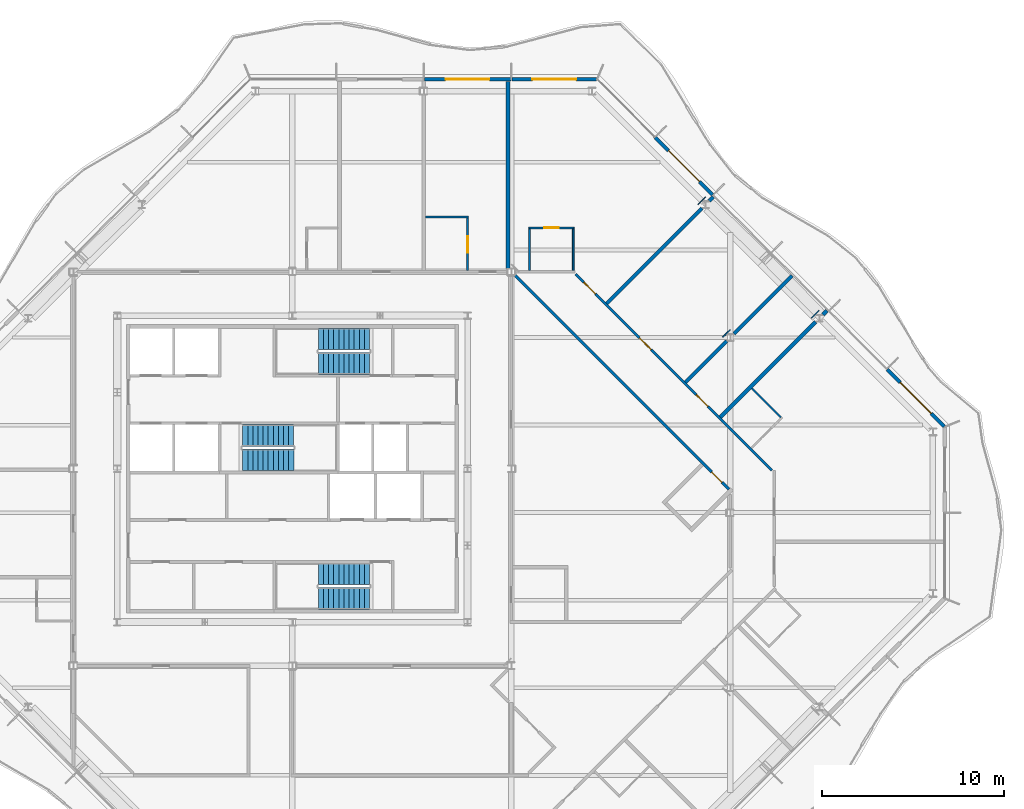
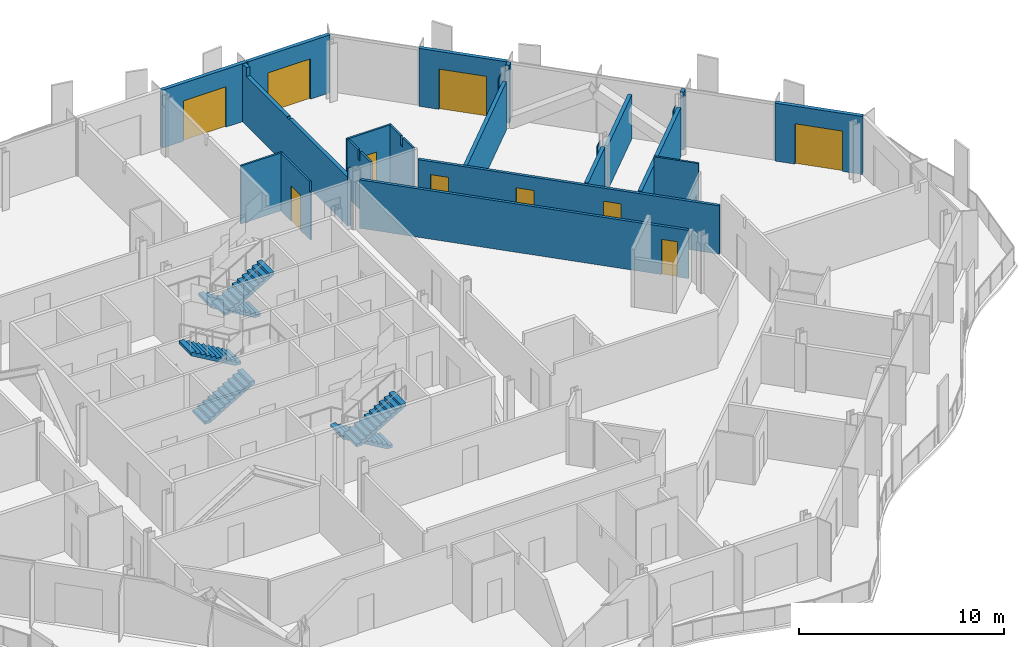
# One storey, part 12 of 17: 22 walls, 10 doors, 6 stair flights, 10 openings, 3 elements without a shape of their own.
"""IFC4 building model written with IfcOpenShell, lengths in metres."""

from ifc_helpers import new_model, si_unit, direction, frame, frame_2d, origin, place, context, subcontext, project, spatial, polyline, rectangle, outline, extrude, material, layer, layer_set, type_object, element, fill, aggregate, save


model = new_model("IFC4")

# Units and contexts
model_context = context("Model", 3, precision=1e-05, world=origin(), true_north=direction((0.0, 1.0)))
body_context = subcontext(model_context, "Body", "Model", "MODEL_VIEW")
ifc_project = project(units=[si_unit("LENGTHUNIT", "METRE"), si_unit("AREAUNIT", "SQUARE_METRE"), si_unit("VOLUMEUNIT", "CUBIC_METRE"), si_unit("PLANEANGLEUNIT", "RADIAN"), si_unit("MASSUNIT", "GRAM", prefix="KILO")], contexts=[model_context])

# Site, building, storey
site_placement = place(None, origin())
site = spatial("IfcSite", under=ifc_project, at=site_placement, CompositionType="ELEMENT")
building_placement = place(site_placement, origin())
building = spatial("IfcBuilding", under=site, at=building_placement, Name="Cairn Pilgrim Tower", CompositionType="ELEMENT")
storey_placement = place(building_placement, frame((0.0, 0.0, 253.800048828125)))
storey = spatial("IfcBuildingStorey", under=building, at=storey_placement, Name="L65", CompositionType="ELEMENT", Elevation=253.800048828125)

# Wall, opening, door
ifc_material_1 = material(Name="Bronze anodised aluminium insulated sandwich panel with mineral wool fill", Category="aluminium")
ifc_layer_1 = layer(ifc_material_1, 0.199951171875)
ifc_layer_set_1 = layer_set([ifc_layer_1], Name="BRONZE INFILL FRAME WALL 200")
wall_type_1 = type_object("IfcWallType", Name="BRONZE INFILL FRAME WALL 200", PredefinedType="NOTDEFINED", material=ifc_layer_set_1)
wall_1_placement = place(storey_placement, frame((42.921630859375, 4.724609375, 0.0), z_axis=(0.0, 0.0, 1.0), x_axis=(-0.707079168996, 0.707134392299, 0.0)))
wall_1 = element("IfcWall", 1, at=wall_1_placement, inside=storey, type_object=wall_type_1, Name="Bronze infill frame wall IW-NE1", PredefinedType="NOTDEFINED", context=body_context, shape_type="SweptSolid", body=[
    extrude(rectangle(XDim=4.4208984375, YDim=0.199951171875, at=frame_2d((2.21044921875, 0.0))), origin(), (0.0, 0.0, 1.0), 3.449951171875),
])
opening_1_placement = place(wall_1_placement, frame((1.00537109375, 0.0, 0.0)))
opening_1 = element("IfcOpeningElement", 2, at=opening_1_placement, cuts=wall_1, Name="Opening 6505B2", PredefinedType="OPENING", context=body_context, shape_type="SweptSolid", body=[
    extrude(rectangle(XDim=2.39990234375, YDim=2.39990234375, at=frame_2d((1.199951171875, 1.199951171875))), frame((0.0, 0.10986328125, 0.0), z_axis=(0.0, -1.0, 0.0), x_axis=(1.0, 0.0, 0.0)), (0.0, 0.0, 1.0), 0.219970703125),
])
ifc_material_2 = material(Name="Bronze anodised aluminium frame with tinted low-E glass", Category="aluminium")
door_type_1 = type_object("IfcDoorType", Name="BALCONY SLIDING DOOR 2400x2400", OperationType="DOUBLE_DOOR_SLIDING", PredefinedType="DOOR", material=ifc_material_2)
door_1_placement = place(opening_1_placement, origin())
door_1 = element("IfcDoor", 3, at=door_1_placement, inside=storey, type_object=door_type_1, Name="Balcony sliding door 6505B2", OperationType="SINGLE_SWING_LEFT", OverallHeight=2.39990234375, OverallWidth=2.39990234375, PredefinedType="DOOR", context=body_context, shape_type="SweptSolid", body=[
    extrude(rectangle(XDim=2.39990234375, YDim=2.39990234375, at=frame_2d((1.199951171875, 1.199951171875))), frame((0.0, 0.02490234375, 0.0), z_axis=(0.0, -1.0, 0.0), x_axis=(1.0, 0.0, 0.0)), (0.0, 0.0, 1.0), 0.050048828125),
])
fill(opening_1, door_1)

wall_2_placement = place(storey_placement, frame((30.226318359375, 17.419921875, 0.0), z_axis=(0.0, 0.0, 1.0), x_axis=(-0.707079231393, 0.707134329907, 0.0)))
wall_2 = element("IfcWall", 4, at=wall_2_placement, inside=storey, type_object=wall_type_1, Name="Bronze infill frame wall IW-NE5", PredefinedType="NOTDEFINED", context=body_context, shape_type="SweptSolid", body=[
    extrude(rectangle(XDim=4.430908203125, YDim=0.199951171875, at=frame_2d((2.21533203125, 0.0))), origin(), (0.0, 0.0, 1.0), 3.449951171875),
])
opening_2_placement = place(wall_2_placement, frame((1.01513671875, 0.0, 0.0)))
opening_2 = element("IfcOpeningElement", 5, at=opening_2_placement, cuts=wall_2, Name="Opening 6508B2", PredefinedType="OPENING", context=body_context, shape_type="SweptSolid", body=[
    extrude(rectangle(XDim=2.39990234375, YDim=2.39990234375, at=frame_2d((1.199951171875, 1.199951171875))), frame((0.0, 0.10986328125, 0.0), z_axis=(0.0, -1.0, 0.0), x_axis=(1.0, 0.0, 0.0)), (0.0, 0.0, 1.0), 0.219970703125),
])
door_2_placement = place(opening_2_placement, origin())
door_2 = element("IfcDoor", 6, at=door_2_placement, inside=storey, type_object=door_type_1, Name="Balcony sliding door 6508B2", OperationType="SINGLE_SWING_LEFT", OverallHeight=2.39990234375, OverallWidth=2.39990234375, PredefinedType="DOOR", context=body_context, shape_type="SweptSolid", body=[
    extrude(rectangle(XDim=2.39990234375, YDim=2.39990234375, at=frame_2d((1.199951171875, 1.199951171875))), frame((0.0, 0.02490234375, 0.0), z_axis=(0.0, -1.0, 0.0), x_axis=(1.0, 0.0, 0.0)), (0.0, 0.0, 1.0), 0.050048828125),
])
fill(opening_2, door_2)

wall_3_placement = place(storey_placement, frame((23.8564453125, 23.75, 0.0), z_axis=(0.0, 0.0, 1.0), x_axis=(-1.0, 0.0, 0.0)))
wall_3 = element("IfcWall", 7, at=wall_3_placement, inside=storey, type_object=wall_type_1, Name="Bronze infill frame wall IW-N1", PredefinedType="NOTDEFINED", context=body_context, shape_type="SweptSolid", body=[
    extrude(rectangle(XDim=4.62646484375, YDim=0.199951171875, at=frame_2d((2.313232421875, 0.0))), origin(), (0.0, 0.0, 1.0), 3.449951171875),
])
opening_3_placement = place(wall_3_placement, frame((1.1083984375, 0.0, 0.0)))
opening_3 = element("IfcOpeningElement", 8, at=opening_3_placement, cuts=wall_3, Name="Opening 6508B", PredefinedType="OPENING", context=body_context, shape_type="SweptSolid", body=[
    extrude(rectangle(XDim=2.39990234375, YDim=2.39990234375, at=frame_2d((1.199951171875, 1.199951171875))), frame((0.0, 0.10986328125, 0.0), z_axis=(0.0, -1.0, 0.0), x_axis=(1.0, 0.0, 0.0)), (0.0, 0.0, 1.0), 0.219970703125),
])
door_3_placement = place(opening_3_placement, origin())
door_3 = element("IfcDoor", 9, at=door_3_placement, inside=storey, type_object=door_type_1, Name="Balcony sliding door 6508B", OperationType="SINGLE_SWING_LEFT", OverallHeight=2.39990234375, OverallWidth=2.39990234375, PredefinedType="DOOR", context=body_context, shape_type="SweptSolid", body=[
    extrude(rectangle(XDim=2.39990234375, YDim=2.39990234375, at=frame_2d((1.199951171875, 1.199951171875))), frame((0.0, 0.02490234375, 0.0), z_axis=(0.0, -1.0, 0.0), x_axis=(1.0, 0.0, 0.0)), (0.0, 0.0, 1.0), 0.050048828125),
])
fill(opening_3, door_3)

wall_4_placement = place(storey_placement, frame((19.169921875, 23.75, 0.0), z_axis=(0.0, 0.0, 1.0), x_axis=(-1.0, 0.0, 0.0)))
wall_4 = element("IfcWall", 10, at=wall_4_placement, inside=storey, type_object=wall_type_1, Name="Bronze infill frame wall IW-N2", PredefinedType="NOTDEFINED", context=body_context, shape_type="SweptSolid", body=[
    extrude(rectangle(XDim=4.739990234375, YDim=0.199951171875, at=frame_2d((2.3701171875, 0.0))), origin(), (0.0, 0.0, 1.0), 3.449951171875),
])
opening_4_placement = place(wall_4_placement, frame((1.17041015625, 0.0, 0.0)))
opening_4 = element("IfcOpeningElement", 11, at=opening_4_placement, cuts=wall_4, Name="Opening 6509B", PredefinedType="OPENING", context=body_context, shape_type="SweptSolid", body=[
    extrude(rectangle(XDim=2.39990234375, YDim=2.39990234375, at=frame_2d((1.199951171875, 1.199951171875))), frame((0.0, 0.10986328125, 0.0), z_axis=(0.0, -1.0, 0.0), x_axis=(1.0, 0.0, 0.0)), (0.0, 0.0, 1.0), 0.219970703125),
])
door_4_placement = place(opening_4_placement, origin())
door_4 = element("IfcDoor", 12, at=door_4_placement, inside=storey, type_object=door_type_1, Name="Balcony sliding door 6509B", OperationType="SINGLE_SWING_LEFT", OverallHeight=2.39990234375, OverallWidth=2.39990234375, PredefinedType="DOOR", context=body_context, shape_type="SweptSolid", body=[
    extrude(rectangle(XDim=2.39990234375, YDim=2.39990234375, at=frame_2d((1.199951171875, 1.199951171875))), frame((0.0, 0.02490234375, 0.0), z_axis=(0.0, -1.0, 0.0), x_axis=(1.0, 0.0, 0.0)), (0.0, 0.0, 1.0), 0.050048828125),
])
fill(opening_4, door_4)

# Wall
ifc_material_3 = material(Name="Gypsum partition")
ifc_layer_2 = layer(ifc_material_3, 0.10009765625)
ifc_layer_set_2 = layer_set([ifc_layer_2], Name="PARTITION 100 DRYWALL")
wall_type_2 = type_object("IfcWallType", Name="PARTITION 100 DRYWALL", PredefinedType="PARTITIONING", material=ifc_layer_set_2)
wall_5_placement = place(storey_placement, frame((33.967529296875, 5.220458984375, 0.0), z_axis=(0.0, 0.0, 1.0), x_axis=(-0.707106781187, 0.707106781187, 0.0)))
element("IfcWall", 13, at=wall_5_placement, inside=storey, type_object=wall_type_2, Name="PARTITION W060", PredefinedType="PARTITIONING", context=body_context, shape_type="SweptSolid", body=[
    extrude(rectangle(XDim=2.249755859375, YDim=0.10009765625, at=frame_2d((1.125, 0.0))), origin(), (0.0, 0.0, 1.0), 3.449951171875),
])

# Wall, opening, door
wall_6_placement = place(storey_placement, frame((16.800048828125, 13.27490234375, 0.0), z_axis=(0.0, 0.0, 1.0), x_axis=(0.0, 1.0, 0.0)))
wall_6 = element("IfcWall", 14, at=wall_6_placement, inside=storey, type_object=wall_type_2, Name="PARTITION W071", PredefinedType="PARTITIONING", context=body_context, shape_type="SweptSolid", body=[
    extrude(outline(polyline([(0.0, 0.0), (2.875, 0.0), (2.875, 3.449951171875), (0.074951171875, 3.449951171875), (0.072998046875, 2.829833984375), (0.0, 2.829833984375), (0.0, 0.0)])), frame((0.0, 0.050048828125, 0.0), z_axis=(0.0, -1.0, 0.0), x_axis=(1.0, 0.0, 0.0)), (0.0, 0.0, 1.0), 0.10009765625),
])
opening_5_placement = place(wall_6_placement, frame((0.97509765625, 0.0, 0.0)))
opening_5 = element("IfcOpeningElement", 15, at=opening_5_placement, cuts=wall_6, Name="Opening 6509A", PredefinedType="OPENING", context=body_context, shape_type="SweptSolid", body=[
    extrude(rectangle(XDim=0.89990234375, YDim=2.10009765625, at=frame_2d((0.449951171875, 1.050048828125))), frame((0.0, 0.06005859375, 0.0), z_axis=(0.0, -1.0, 0.0), x_axis=(1.0, 0.0, 0.0)), (0.0, 0.0, 1.0), 0.1201171875),
])
ifc_material_4 = material(Name="Timber door leaf", Category="wood")
door_type_2 = type_object("IfcDoorType", Name="WC DOOR 900x2100", OperationType="NOTDEFINED", PredefinedType="DOOR", material=ifc_material_4)
door_5_placement = place(opening_5_placement, frame((0.89990234375, 0.0, 0.0), z_axis=(0.0, 0.0, 1.0), x_axis=(-1.0, 0.0, 0.0)))
door_5 = element("IfcDoor", 16, at=door_5_placement, inside=storey, type_object=door_type_2, Name="DOOR 6509A", OperationType="SINGLE_SWING_RIGHT", OverallHeight=2.10009765625, OverallWidth=0.89990234375, PredefinedType="DOOR", context=body_context, shape_type="SweptSolid", body=[
    extrude(rectangle(XDim=0.89990234375, YDim=2.10009765625, at=frame_2d((0.449951171875, 1.050048828125))), frame((0.0, 0.02490234375, 0.0), z_axis=(0.0, -1.0, 0.0), x_axis=(1.0, 0.0, 0.0)), (0.0, 0.0, 1.0), 0.050048828125),
])
fill(opening_5, door_5)

# Walls
for number, where, z_axis, x_axis, name in (
    (17, (20.194091796875, 13.27490234375, 0.0), (0.0, 0.0, 1.0), (0.0, 1.0, 0.0), "PARTITION W072"),
    (18, (22.593994140625, 13.27490234375, 0.0), (0.0, 0.0, 1.0), (0.0, 1.0, 0.0), "PARTITION W073"),
):
    element("IfcWall", number, at=place(storey_placement, frame(where, z_axis=z_axis, x_axis=x_axis)), inside=storey, type_object=wall_type_2, Name=name, PredefinedType="PARTITIONING", context=body_context, shape_type="SweptSolid", body=[
        extrude(outline(polyline([(0.0, 0.0), (2.275146484375, 0.0), (2.27490234375, 3.449951171875), (1.22998046875, 3.449951171875), (1.22802734375, 2.8798828125), (1.02001953125, 2.8798828125), (1.01806640625, 3.449951171875), (0.0, 3.449951171875), (0.0, 0.0)])), frame((0.0, 0.050048828125, 0.0), z_axis=(0.0, -1.0, 0.0), x_axis=(1.0, 0.0, 0.0)), (0.0, 0.0, 1.0), 0.10009765625),
    ])

# Wall, opening, door
wall_7_placement = place(storey_placement, frame((20.14404296875, 15.60009765625, 0.0), z_axis=(0.0, 0.0, 1.0), x_axis=(1.0, 0.0, 0.0)))
wall_7 = element("IfcWall", 19, at=wall_7_placement, inside=storey, type_object=wall_type_2, Name="PARTITION W076", PredefinedType="PARTITIONING", context=body_context, shape_type="SweptSolid", body=[
    extrude(rectangle(XDim=2.5, YDim=0.10009765625, at=frame_2d((1.25, 0.0))), origin(), (0.0, 0.0, 1.0), 3.449951171875),
])
opening_6_placement = place(wall_7_placement, frame((0.85009765625, 0.0, 0.0)))
opening_6 = element("IfcOpeningElement", 20, at=opening_6_placement, cuts=wall_7, Name="Opening 6508A", PredefinedType="OPENING", context=body_context, shape_type="SweptSolid", body=[
    extrude(rectangle(XDim=0.800048828125, YDim=2.10009765625, at=frame_2d((0.39990234375, 1.050048828125))), frame((0.0, 0.06005859375, 0.0), z_axis=(0.0, -1.0, 0.0), x_axis=(1.0, 0.0, 0.0)), (0.0, 0.0, 1.0), 0.1201171875),
])
door_type_3 = type_object("IfcDoorType", Name="WC DOOR 800x2100", OperationType="NOTDEFINED", PredefinedType="DOOR", material=ifc_material_4)
door_6_placement = place(opening_6_placement, origin())
door_6 = element("IfcDoor", 21, at=door_6_placement, inside=storey, type_object=door_type_3, Name="DOOR 6508A", OperationType="SINGLE_SWING_RIGHT", OverallHeight=2.10009765625, OverallWidth=0.800048828125, PredefinedType="DOOR", context=body_context, shape_type="SweptSolid", body=[
    extrude(rectangle(XDim=0.800048828125, YDim=2.10009765625, at=frame_2d((0.39990234375, 1.050048828125))), frame((0.0, 0.02490234375, 0.0), z_axis=(0.0, -1.0, 0.0), x_axis=(1.0, 0.0, 0.0)), (0.0, 0.0, 1.0), 0.050048828125),
])
fill(opening_6, door_6)

# Wall
wall_8_placement = place(storey_placement, frame((14.5, 16.199951171875, 0.0), z_axis=(0.0, 0.0, 1.0), x_axis=(1.0, 0.0, 0.0)))
element("IfcWall", 22, at=wall_8_placement, inside=storey, type_object=wall_type_2, Name="PARTITION W077", PredefinedType="PARTITIONING", context=body_context, shape_type="SweptSolid", body=[
    extrude(rectangle(XDim=2.35009765625, YDim=0.10009765625, at=frame_2d((1.175048828125, 0.0))), origin(), (0.0, 0.0, 1.0), 3.449951171875),
])

# Wall, opening, door
ifc_layer_3 = layer(ifc_material_3, 0.14990234375)
ifc_layer_set_3 = layer_set([ifc_layer_3], Name="PARTITION 150 DRYWALL EI 60")
wall_type_3 = type_object("IfcWallType", Name="PARTITION 150 DRYWALL EI 60", PredefinedType="PARTITIONING", material=ifc_layer_set_3)
wall_9_placement = place(storey_placement, frame((31.12939453125, 1.270751953125, 0.0), z_axis=(0.0, 0.0, 1.0), x_axis=(-0.707114135277, 0.70709942702, 0.0)))
wall_9 = element("IfcWall", 23, at=wall_9_placement, inside=storey, type_object=wall_type_3, Name="PARTITION W053", PredefinedType="PARTITIONING", context=body_context, shape_type="SweptSolid", body=[
    extrude(rectangle(XDim=16.598876953125, YDim=0.14990234375, at=frame_2d((8.29931640625, 0.0))), origin(), (0.0, 0.0, 1.0), 2.8798828125),
])
opening_7_placement = place(wall_9_placement, frame((0.550048828125, 0.0, 0.0)))
opening_7 = element("IfcOpeningElement", 24, at=opening_7_placement, cuts=wall_9, Name="Opening 6517", PredefinedType="OPENING", context=body_context, shape_type="SweptSolid", body=[
    extrude(rectangle(XDim=0.800048828125, YDim=2.10009765625, at=frame_2d((0.39990234375, 1.050048828125))), frame((0.0, 0.0849609375, 0.0), z_axis=(0.0, -1.0, 0.0), x_axis=(1.0, 0.0, 0.0)), (0.0, 0.0, 1.0), 0.169921875),
])
door_type_4 = type_object("IfcDoorType", Name="WC DOOR 800x2100 FD30S", OperationType="NOTDEFINED", PredefinedType="DOOR", material=ifc_material_4)
door_7_placement = place(opening_7_placement, origin())
door_7 = element("IfcDoor", 25, at=door_7_placement, inside=storey, type_object=door_type_4, Name="DOOR 6517", OperationType="SINGLE_SWING_LEFT", OverallHeight=2.10009765625, OverallWidth=0.800048828125, PredefinedType="DOOR", context=body_context, shape_type="SweptSolid", body=[
    extrude(rectangle(XDim=0.800048828125, YDim=2.10009765625, at=frame_2d((0.39990234375, 1.050048828125))), frame((0.0, 0.02490234375, 0.0), z_axis=(0.0, -1.0, 0.0), x_axis=(1.0, 0.0, 0.0)), (0.0, 0.0, 1.0), 0.050048828125),
])
fill(opening_7, door_7)

# Wall, openings, doors
wall_10_placement = place(storey_placement, frame((33.471923828125, 2.322021484375, 0.0), z_axis=(0.0, 0.0, 1.0), x_axis=(-0.707106781187, 0.707106781187, 0.0)))
wall_10 = element("IfcWall", 26, at=wall_10_placement, inside=storey, type_object=wall_type_3, Name="PARTITION W055", PredefinedType="PARTITIONING", context=body_context, shape_type="SweptSolid", body=[
    extrude(rectangle(XDim=15.202880859375, YDim=0.14990234375, at=frame_2d((7.6015625, 0.0))), origin(), (0.0, 0.0, 1.0), 2.8798828125),
])
opening_8_placement = place(wall_10_placement, frame((4.950927734375, 0.0, 0.0)))
opening_8 = element("IfcOpeningElement", 27, at=opening_8_placement, cuts=wall_10, Name="Opening 6506", PredefinedType="OPENING", context=body_context, shape_type="SweptSolid", body=[
    extrude(rectangle(XDim=0.89990234375, YDim=2.10009765625, at=frame_2d((0.449951171875, 1.050048828125))), frame((0.0, 0.0849609375, 0.0), z_axis=(0.0, -1.0, 0.0), x_axis=(1.0, 0.0, 0.0)), (0.0, 0.0, 1.0), 0.169921875),
])
opening_9_placement = place(wall_10_placement, frame((9.351806640625, 0.0, 0.0)))
opening_9 = element("IfcOpeningElement", 28, at=opening_9_placement, cuts=wall_10, Name="Opening 6507", PredefinedType="OPENING", context=body_context, shape_type="SweptSolid", body=[
    extrude(rectangle(XDim=0.89990234375, YDim=2.10009765625, at=frame_2d((0.449951171875, 1.050048828125))), frame((0.0, 0.0849609375, 0.0), z_axis=(0.0, -1.0, 0.0), x_axis=(1.0, 0.0, 0.0)), (0.0, 0.0, 1.0), 0.169921875),
])
opening_10_placement = place(wall_10_placement, frame((13.667724609375, 0.0, 0.0)))
opening_10 = element("IfcOpeningElement", 29, at=opening_10_placement, cuts=wall_10, Name="Opening 6508", PredefinedType="OPENING", context=body_context, shape_type="SweptSolid", body=[
    extrude(rectangle(XDim=0.89990234375, YDim=2.10009765625, at=frame_2d((0.449951171875, 1.050048828125))), frame((0.0, 0.0849609375, 0.0), z_axis=(0.0, -1.0, 0.0), x_axis=(1.0, 0.0, 0.0)), (0.0, 0.0, 1.0), 0.169921875),
])
door_type_5 = type_object("IfcDoorType", Name="ROOM DOOR 900x2100 FD30S", OperationType="NOTDEFINED", PredefinedType="DOOR", material=ifc_material_4)
door_8_placement = place(opening_10_placement, frame((0.89990234375, 0.0, 0.0), z_axis=(0.0, 0.0, 1.0), x_axis=(-1.0, 0.0, 0.0)))
door_8 = element("IfcDoor", 30, at=door_8_placement, inside=storey, type_object=door_type_5, Name="DOOR 6508", OperationType="SINGLE_SWING_RIGHT", OverallHeight=2.10009765625, OverallWidth=0.89990234375, PredefinedType="DOOR", context=body_context, shape_type="SweptSolid", body=[
    extrude(rectangle(XDim=0.89990234375, YDim=2.10009765625, at=frame_2d((0.449951171875, 1.050048828125))), frame((0.0, 0.02490234375, 0.0), z_axis=(0.0, -1.0, 0.0), x_axis=(1.0, 0.0, 0.0)), (0.0, 0.0, 1.0), 0.050048828125),
])
fill(opening_10, door_8)
door_type_6 = type_object("IfcDoorType", Name="SERVICE DOOR 900x2100 FD30S", OperationType="NOTDEFINED", PredefinedType="DOOR", material=ifc_material_4)
door_9_placement = place(opening_8_placement, frame((0.89990234375, 0.0, 0.0), z_axis=(0.0, 0.0, 1.0), x_axis=(-1.0, 0.0, 0.0)))
door_9 = element("IfcDoor", 31, at=door_9_placement, inside=storey, type_object=door_type_6, Name="DOOR 6506", OperationType="SINGLE_SWING_RIGHT", OverallHeight=2.10009765625, OverallWidth=0.89990234375, PredefinedType="DOOR", context=body_context, shape_type="SweptSolid", body=[
    extrude(rectangle(XDim=0.89990234375, YDim=2.10009765625, at=frame_2d((0.449951171875, 1.050048828125))), frame((0.0, 0.02490234375, 0.0), z_axis=(0.0, -1.0, 0.0), x_axis=(1.0, 0.0, 0.0)), (0.0, 0.0, 1.0), 0.050048828125),
])
fill(opening_8, door_9)
door_10_placement = place(opening_9_placement, frame((0.89990234375, 0.0, 0.0), z_axis=(0.0, 0.0, 1.0), x_axis=(-1.0, 0.0, 0.0)))
door_10 = element("IfcDoor", 32, at=door_10_placement, inside=storey, type_object=door_type_6, Name="DOOR 6507", OperationType="SINGLE_SWING_RIGHT", OverallHeight=2.10009765625, OverallWidth=0.89990234375, PredefinedType="DOOR", context=body_context, shape_type="SweptSolid", body=[
    extrude(rectangle(XDim=0.89990234375, YDim=2.10009765625, at=frame_2d((0.449951171875, 1.050048828125))), frame((0.0, 0.02490234375, 0.0), z_axis=(0.0, -1.0, 0.0), x_axis=(1.0, 0.0, 0.0)), (0.0, 0.0, 1.0), 0.050048828125),
])
fill(opening_9, door_10)

# Walls
ifc_layer_4 = layer(ifc_material_3, 0.050048828125)
ifc_layer_set_4 = layer_set([ifc_layer_4], Name="PARTITION 50 DRYWALL EI 60")
wall_type_4 = type_object("IfcWallType", Name="PARTITION 50 DRYWALL EI 60", PredefinedType="PARTITIONING", material=ifc_layer_set_4)
wall_11_placement = place(storey_placement, frame((35.652587890625, 10.669189453125, 0.0), z_axis=(0.0, 0.0, 1.0), x_axis=(0.707106781187, 0.707106781187, 0.0)))
element("IfcWall", 33, at=wall_11_placement, inside=storey, type_object=wall_type_4, Name="COLUMN CASING WC19", PredefinedType="PARTITIONING", context=body_context, shape_type="SweptSolid", body=[
    extrude(rectangle(XDim=0.573486328125, YDim=0.050048828125, at=frame_2d((0.28662109375, 0.0))), origin(), (0.0, 0.0, 1.0), 2.6298828125),
])
wall_12_placement = place(storey_placement, frame((30.786376953125, 9.61767578125, 0.0), z_axis=(0.0, 0.0, 1.0), x_axis=(0.707106781187, 0.707106781187, 0.0)))
element("IfcWall", 34, at=wall_12_placement, inside=storey, type_object=wall_type_4, Name="COLUMN CASING WC20", PredefinedType="PARTITIONING", context=body_context, shape_type="SweptSolid", body=[
    extrude(rectangle(XDim=0.56005859375, YDim=0.050048828125, at=frame_2d((0.280029296875, 0.0))), origin(), (0.0, 0.0, 1.0), 2.8798828125),
])
wall_13_placement = place(storey_placement, frame((29.42822265625, 16.893310546875, 0.0), z_axis=(0.0, 0.0, 1.0), x_axis=(0.707106781187, 0.707106781187, 0.0)))
element("IfcWall", 35, at=wall_13_placement, inside=storey, type_object=wall_type_4, Name="COLUMN CASING WC21", PredefinedType="PARTITIONING", context=body_context, shape_type="SweptSolid", body=[
    extrude(rectangle(XDim=0.573486328125, YDim=0.050048828125, at=frame_2d((0.28662109375, 0.0))), origin(), (0.0, 0.0, 1.0), 2.929931640625),
])
ifc_layer_5 = layer(ifc_material_3, 0.199951171875)
ifc_layer_set_5 = layer_set([ifc_layer_5], Name="SHAFT WALL 200 GYPSUM EI 60")
wall_type_5 = type_object("IfcWallType", Name="SHAFT WALL 200 GYPSUM EI 60", PredefinedType="PARTITIONING", material=ifc_layer_set_5)
wall_14_placement = place(storey_placement, frame((30.662109375, 5.238037109375, 0.0), z_axis=(0.0, 0.0, 1.0), x_axis=(0.707106781187, 0.707106781187, 0.0)))
element("IfcWall", 36, at=wall_14_placement, inside=storey, type_object=wall_type_5, Name="PARTITION W059", PredefinedType="PARTITIONING", context=body_context, shape_type="SweptSolid", body=[
    extrude(rectangle(XDim=7.369140625, YDim=0.199951171875, at=frame_2d((3.6845703125, 0.0))), origin(), (0.0, 0.0, 1.0), 2.929931640625),
])
wall_15_placement = place(storey_placement, frame((28.75, 7.14990234375, 0.0), z_axis=(0.0, 0.0, 1.0), x_axis=(0.7070684525, 0.707145107796, 0.0)))
element("IfcWall", 37, at=wall_15_placement, inside=storey, type_object=wall_type_5, Name="PARTITION W061", PredefinedType="PARTITIONING", context=body_context, shape_type="SweptSolid", body=[
    extrude(rectangle(XDim=3.184814453125, YDim=0.199951171875, at=frame_2d((1.59228515625, 0.0))), origin(), (0.0, 0.0, 1.0), 2.929931640625),
])
wall_16_placement = place(storey_placement, frame((31.39794921875, 9.798095703125, 0.0), z_axis=(0.0, 0.0, 1.0), x_axis=(0.707133900936, 0.707079660397, 0.0)))
element("IfcWall", 38, at=wall_16_placement, inside=storey, type_object=wall_type_5, Name="PARTITION W062", PredefinedType="PARTITIONING", context=body_context, shape_type="SweptSolid", body=[
    extrude(rectangle(XDim=4.5009765625, YDim=0.199951171875, at=frame_2d((2.25048828125, 0.0))), origin(), (0.0, 0.0, 1.0), 2.6298828125),
])
wall_17_placement = place(storey_placement, frame((36.2783203125, 10.8544921875, 0.0), z_axis=(0.0, 0.0, 1.0), x_axis=(0.707509117806, 0.706704215511, 0.0)))
element("IfcWall", 39, at=wall_17_placement, inside=storey, type_object=wall_type_5, Name="PARTITION W063", PredefinedType="PARTITIONING", context=body_context, shape_type="SweptSolid", body=[
    extrude(rectangle(XDim=0.30322265625, YDim=0.199951171875, at=frame_2d((0.151611328125, 0.0))), origin(), (0.0, 0.0, 1.0), 3.449951171875),
])
wall_18_placement = place(storey_placement, frame((24.43798828125, 11.4619140625, 0.0), z_axis=(0.0, 0.0, 1.0), x_axis=(0.707090216072, 0.707123345913, 0.0)))
element("IfcWall", 40, at=wall_18_placement, inside=storey, type_object=wall_type_5, Name="PARTITION W064", PredefinedType="PARTITIONING", context=body_context, shape_type="SweptSolid", body=[
    extrude(rectangle(XDim=7.369140625, YDim=0.199951171875, at=frame_2d((3.6845703125, 0.0))), origin(), (0.0, 0.0, 1.0), 2.8798828125),
])
wall_19_placement = place(storey_placement, frame((19.013916015625, 13.387451171875, 0.0), z_axis=(0.0, 0.0, 1.0), x_axis=(0.0, 1.0, 0.0)))
element("IfcWall", 41, at=wall_19_placement, inside=storey, type_object=wall_type_5, Name="PARTITION W074", PredefinedType="PARTITIONING", context=body_context, shape_type="SweptSolid", body=[
    extrude(outline(polyline([(0.0, 0.0), (10.232666015625, 0.0), (10.232421875, 3.449951171875), (9.862548828125, 3.449951171875), (9.860595703125, 2.929931640625), (5.91748046875, 2.929931640625), (5.91552734375, 2.8798828125), (5.70751953125, 2.8798828125), (5.70556640625, 2.929931640625), (0.009521484375, 2.929931640625), (0.007568359375, 3.449951171875), (0.0, 3.449951171875), (0.0, 0.0)])), frame((0.0, 0.10009765625, 0.0), z_axis=(0.0, -1.0, 0.0), x_axis=(1.0, 0.0, 0.0)), (0.0, 0.0, 1.0), 0.199951171875),
])
wall_20_placement = place(storey_placement, frame((30.054443359375, 17.078369140625, 0.0), z_axis=(0.0, 0.0, 1.0), x_axis=(0.707106781187, 0.707106781187, 0.0)))
element("IfcWall", 42, at=wall_20_placement, inside=storey, type_object=wall_type_5, Name="PARTITION W078", PredefinedType="PARTITIONING", context=body_context, shape_type="SweptSolid", body=[
    extrude(rectangle(XDim=0.30322265625, YDim=0.199951171875, at=frame_2d((0.151611328125, 0.0))), origin(), (0.0, 0.0, 1.0), 3.449951171875),
])

# Stair, stair flights
ifc_material_5 = material(Name="Concrete C32/40", Category="concrete")
stair_type = type_object("IfcStairType", Name="EXIT STAIR 1200", PredefinedType="HALF_TURN_STAIR", material=ifc_material_5)
stair_1_placement = place(storey_placement, origin())
stair_1 = element("IfcStair", 43, at=stair_1_placement, inside=storey, type_object=stair_type, Name="L65 Exit Stair A", PredefinedType="HALF_TURN_STAIR")
stair_flight_type = type_object("IfcStairFlightType", Name="STAIR FLIGHT 1200", PredefinedType="STRAIGHT", material=ifc_material_5)
stair_flight_1_placement = place(storey_placement, frame((11.425048828125, -3.375, 0.0), z_axis=(0.0, 0.0, 1.0), x_axis=(-1.0, 0.0, 0.0)))
stair_flight_1 = element("IfcStairFlight", 44, at=stair_flight_1_placement, type_object=stair_flight_type, Name="ST-A flight 1", NumberOfRisers=11, NumberOfTreads=10, PredefinedType="STRAIGHT", RiserHeight=0.163636364, TreadLength=0.28, context=body_context, shape_type="SweptSolid", body=[
    extrude(outline(polyline([(0.0, 0.0), (0.0, 0.16357421875), (0.280029296875, 0.16357421875), (0.280029296875, 0.327392578125), (0.56005859375, 0.327392578125), (0.56005859375, 0.490966796875), (0.840087890625, 0.490966796875), (0.840087890625, 0.654541015625), (1.1201171875, 0.654541015625), (1.1201171875, 0.818115234375), (1.39990234375, 0.818115234375), (1.39990234375, 0.98193359375), (1.679931640625, 0.98193359375), (1.679931640625, 1.1455078125), (1.9599609375, 1.1455078125), (1.9599609375, 1.30908203125), (2.239990234375, 1.30908203125), (2.239990234375, 1.47265625), (2.52001953125, 1.47265625), (2.52001953125, 1.636474609375), (2.800048828125, 1.636474609375), (2.800048828125, 1.800048828125), (2.800048828125, 1.462646484375), (0.297119140625, 0.0), (0.0, 0.0)])), frame((0.0, 0.60009765625, 0.0), z_axis=(0.0, -1.0, 0.0), x_axis=(1.0, 0.0, 0.0)), (0.0, 0.0, 1.0), 1.199951171875),
])
stair_flight_2_placement = place(storey_placement, frame((8.625, -4.699951171875, 1.800048828125), z_axis=(0.0, 0.0, 1.0), x_axis=(1.0, 0.0, 0.0)))
stair_flight_2 = element("IfcStairFlight", 45, at=stair_flight_2_placement, type_object=stair_flight_type, Name="ST-A flight 2", NumberOfRisers=11, NumberOfTreads=10, PredefinedType="STRAIGHT", RiserHeight=0.163636364, TreadLength=0.28, context=body_context, shape_type="SweptSolid", body=[
    extrude(outline(polyline([(0.0, 0.0), (0.0, 0.16357421875), (0.280029296875, 0.16357421875), (0.280029296875, 0.327392578125), (0.56005859375, 0.327392578125), (0.56005859375, 0.490966796875), (0.840087890625, 0.490966796875), (0.840087890625, 0.654541015625), (1.1201171875, 0.654541015625), (1.1201171875, 0.818115234375), (1.39990234375, 0.818115234375), (1.39990234375, 0.98193359375), (1.679931640625, 0.98193359375), (1.679931640625, 1.1455078125), (1.9599609375, 1.1455078125), (1.9599609375, 1.30908203125), (2.239990234375, 1.30908203125), (2.239990234375, 1.47265625), (2.52001953125, 1.47265625), (2.52001953125, 1.636474609375), (2.800048828125, 1.636474609375), (2.800048828125, 1.800048828125), (2.800048828125, 1.462646484375), (0.297119140625, 0.0), (0.0, 0.0)])), frame((0.0, 0.60009765625, 0.0), z_axis=(0.0, -1.0, 0.0), x_axis=(1.0, 0.0, 0.0)), (0.0, 0.0, 1.0), 1.199951171875),
])
aggregate(stair_1, [stair_flight_1, stair_flight_2])

stair_2_placement = place(storey_placement, origin())
stair_2 = element("IfcStair", 46, at=stair_2_placement, inside=storey, type_object=stair_type, Name="L65 Exit Stair B", PredefinedType="HALF_TURN_STAIR")
stair_flight_3_placement = place(storey_placement, frame((4.47509765625, 2.875, 0.0), z_axis=(0.0, 0.0, 1.0), x_axis=(1.0, 0.0, 0.0)))
stair_flight_3 = element("IfcStairFlight", 47, at=stair_flight_3_placement, type_object=stair_flight_type, Name="ST-B flight 1", NumberOfRisers=11, NumberOfTreads=10, PredefinedType="STRAIGHT", RiserHeight=0.163636364, TreadLength=0.28, context=body_context, shape_type="SweptSolid", body=[
    extrude(outline(polyline([(0.0, 0.0), (0.0, 0.16357421875), (0.280029296875, 0.16357421875), (0.280029296875, 0.327392578125), (0.56005859375, 0.327392578125), (0.56005859375, 0.490966796875), (0.840087890625, 0.490966796875), (0.840087890625, 0.654541015625), (1.1201171875, 0.654541015625), (1.1201171875, 0.818115234375), (1.39990234375, 0.818115234375), (1.39990234375, 0.98193359375), (1.679931640625, 0.98193359375), (1.679931640625, 1.1455078125), (1.9599609375, 1.1455078125), (1.9599609375, 1.30908203125), (2.239990234375, 1.30908203125), (2.239990234375, 1.47265625), (2.52001953125, 1.47265625), (2.52001953125, 1.636474609375), (2.800048828125, 1.636474609375), (2.800048828125, 1.800048828125), (2.800048828125, 1.462646484375), (0.297119140625, 0.0), (0.0, 0.0)])), frame((0.0, 0.60009765625, 0.0), z_axis=(0.0, -1.0, 0.0), x_axis=(1.0, 0.0, 0.0)), (0.0, 0.0, 1.0), 1.199951171875),
])
stair_flight_4_placement = place(storey_placement, frame((7.27490234375, 4.22509765625, 1.800048828125), z_axis=(0.0, 0.0, 1.0), x_axis=(-1.0, 0.0, 0.0)))
stair_flight_4 = element("IfcStairFlight", 48, at=stair_flight_4_placement, type_object=stair_flight_type, Name="ST-B flight 2", NumberOfRisers=11, NumberOfTreads=10, PredefinedType="STRAIGHT", RiserHeight=0.163636364, TreadLength=0.28, context=body_context, shape_type="SweptSolid", body=[
    extrude(outline(polyline([(0.0, 0.0), (0.0, 0.16357421875), (0.280029296875, 0.16357421875), (0.280029296875, 0.327392578125), (0.56005859375, 0.327392578125), (0.56005859375, 0.490966796875), (0.840087890625, 0.490966796875), (0.840087890625, 0.654541015625), (1.1201171875, 0.654541015625), (1.1201171875, 0.818115234375), (1.39990234375, 0.818115234375), (1.39990234375, 0.98193359375), (1.679931640625, 0.98193359375), (1.679931640625, 1.1455078125), (1.9599609375, 1.1455078125), (1.9599609375, 1.30908203125), (2.239990234375, 1.30908203125), (2.239990234375, 1.47265625), (2.52001953125, 1.47265625), (2.52001953125, 1.636474609375), (2.800048828125, 1.636474609375), (2.800048828125, 1.800048828125), (2.800048828125, 1.462646484375), (0.297119140625, 0.0), (0.0, 0.0)])), frame((0.0, 0.60009765625, 0.0), z_axis=(0.0, -1.0, 0.0), x_axis=(1.0, 0.0, 0.0)), (0.0, 0.0, 1.0), 1.199951171875),
])
aggregate(stair_2, [stair_flight_3, stair_flight_4])

stair_3_placement = place(storey_placement, origin())
stair_3 = element("IfcStair", 49, at=stair_3_placement, inside=storey, type_object=stair_type, Name="L65 Exit Stair C", PredefinedType="HALF_TURN_STAIR")
stair_flight_5_placement = place(storey_placement, frame((11.425048828125, 9.5, 0.0), z_axis=(0.0, 0.0, 1.0), x_axis=(-1.0, 0.0, 0.0)))
stair_flight_5 = element("IfcStairFlight", 50, at=stair_flight_5_placement, type_object=stair_flight_type, Name="ST-C flight 1", NumberOfRisers=11, NumberOfTreads=10, PredefinedType="STRAIGHT", RiserHeight=0.163636364, TreadLength=0.28, context=body_context, shape_type="SweptSolid", body=[
    extrude(outline(polyline([(0.0, 0.0), (0.0, 0.16357421875), (0.280029296875, 0.16357421875), (0.280029296875, 0.327392578125), (0.56005859375, 0.327392578125), (0.56005859375, 0.490966796875), (0.840087890625, 0.490966796875), (0.840087890625, 0.654541015625), (1.1201171875, 0.654541015625), (1.1201171875, 0.818115234375), (1.39990234375, 0.818115234375), (1.39990234375, 0.98193359375), (1.679931640625, 0.98193359375), (1.679931640625, 1.1455078125), (1.9599609375, 1.1455078125), (1.9599609375, 1.30908203125), (2.239990234375, 1.30908203125), (2.239990234375, 1.47265625), (2.52001953125, 1.47265625), (2.52001953125, 1.636474609375), (2.800048828125, 1.636474609375), (2.800048828125, 1.800048828125), (2.800048828125, 1.462646484375), (0.297119140625, 0.0), (0.0, 0.0)])), frame((0.0, 0.60009765625, 0.0), z_axis=(0.0, -1.0, 0.0), x_axis=(1.0, 0.0, 0.0)), (0.0, 0.0, 1.0), 1.199951171875),
])
stair_flight_6_placement = place(storey_placement, frame((8.625, 8.175048828125, 1.800048828125), z_axis=(0.0, 0.0, 1.0), x_axis=(1.0, 0.0, 0.0)))
stair_flight_6 = element("IfcStairFlight", 51, at=stair_flight_6_placement, type_object=stair_flight_type, Name="ST-C flight 2", NumberOfRisers=11, NumberOfTreads=10, PredefinedType="STRAIGHT", RiserHeight=0.163636364, TreadLength=0.28, context=body_context, shape_type="SweptSolid", body=[
    extrude(outline(polyline([(0.0, 0.0), (0.0, 0.16357421875), (0.280029296875, 0.16357421875), (0.280029296875, 0.327392578125), (0.56005859375, 0.327392578125), (0.56005859375, 0.490966796875), (0.840087890625, 0.490966796875), (0.840087890625, 0.654541015625), (1.1201171875, 0.654541015625), (1.1201171875, 0.818115234375), (1.39990234375, 0.818115234375), (1.39990234375, 0.98193359375), (1.679931640625, 0.98193359375), (1.679931640625, 1.1455078125), (1.9599609375, 1.1455078125), (1.9599609375, 1.30908203125), (2.239990234375, 1.30908203125), (2.239990234375, 1.47265625), (2.52001953125, 1.47265625), (2.52001953125, 1.636474609375), (2.800048828125, 1.636474609375), (2.800048828125, 1.800048828125), (2.800048828125, 1.462646484375), (0.297119140625, 0.0), (0.0, 0.0)])), frame((0.0, 0.60009765625, 0.0), z_axis=(0.0, -1.0, 0.0), x_axis=(1.0, 0.0, 0.0)), (0.0, 0.0, 1.0), 1.199951171875),
])
aggregate(stair_3, [stair_flight_5, stair_flight_6])

save(model, "model.ifc")
